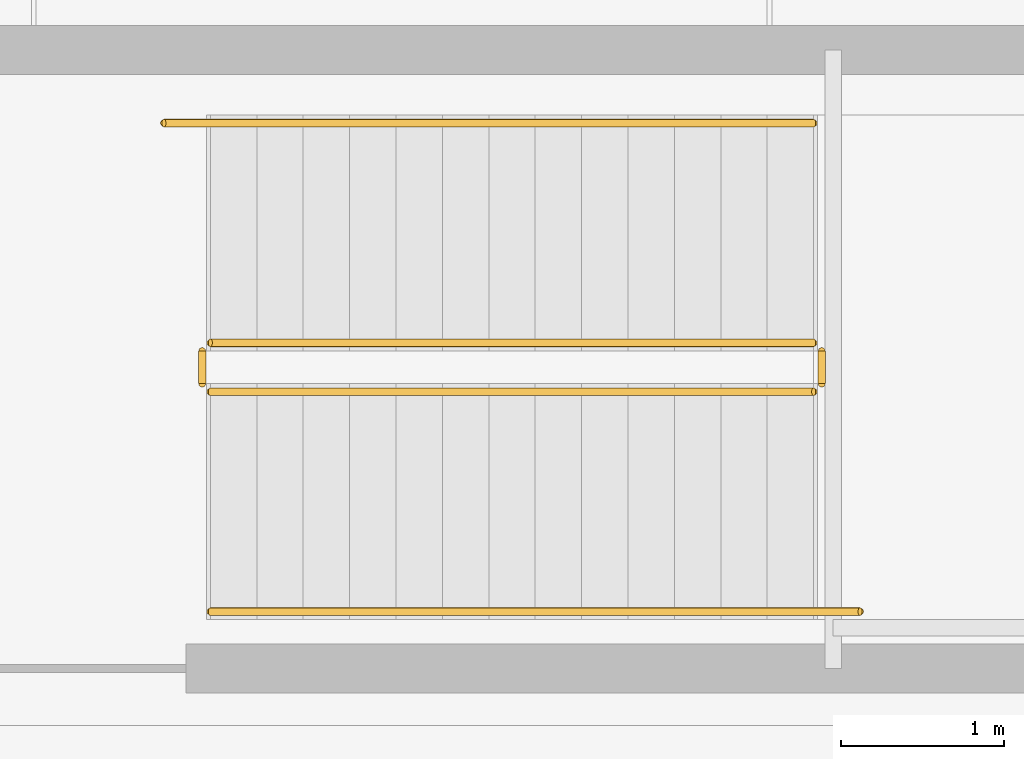
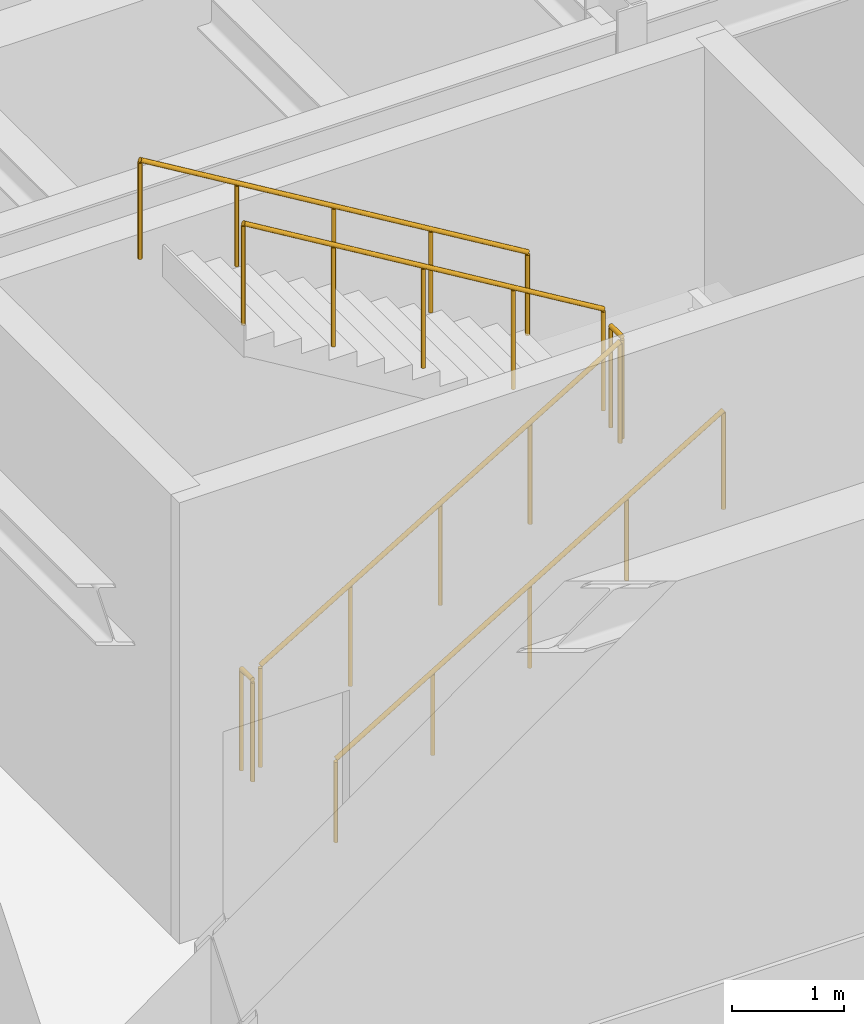
# One storey, part 58 of 59: 6 railings.
"""IFC4 building model written with IfcOpenShell, lengths in metres."""

from ifc_helpers import new_model, si_unit, direction, frame, origin, origin_2d, place, context, subcontext, project, spatial, circle, extrude, material, layer, layer_set, type_object, element, save


model = new_model("IFC4")

# Units and contexts
model_context = context("Model", 3, precision=1e-05, world=origin(), true_north=direction((0.0, 1.0)))
body_context = subcontext(model_context, "Body", "Model", "MODEL_VIEW")
ifc_project = project(units=[si_unit("LENGTHUNIT", "METRE"), si_unit("AREAUNIT", "SQUARE_METRE"), si_unit("VOLUMEUNIT", "CUBIC_METRE"), si_unit("PLANEANGLEUNIT", "RADIAN"), si_unit("MASSUNIT", "GRAM", prefix="KILO")], contexts=[model_context])

# Site, building, storey
site_placement = place(None, origin())
site = spatial("IfcSite", under=ifc_project, at=site_placement, CompositionType="ELEMENT")
building_placement = place(site_placement, origin())
building = spatial("IfcBuilding", under=site, at=building_placement, Name="Montealbar Specialist Clinic", CompositionType="ELEMENT")
storey_placement = place(building_placement, frame((0.0, 0.0, -4.800048828125)))
storey = spatial("IfcBuildingStorey", under=building, at=storey_placement, Name="B01", CompositionType="ELEMENT", Elevation=-4.800048828125)

# Railings
ifc_material = material(Name="Steel S355", Category="steel")
ifc_layer_1 = layer(ifc_material, 0.050048828125, Name="Steel S355", Category="steel")
ifc_layer_set_1 = layer_set([ifc_layer_1], Name="Steel S355")
railing_type_1 = type_object("IfcRailingType", Name="RAIL-STAIR-BAL-1100", PredefinedType="BALUSTRADE", material=ifc_layer_set_1)
railing_1_placement = place(storey_placement, frame((139.75, 100.300048828125, 0.17138671875)))
element("IfcRailing", 1, at=railing_1_placement, inside=storey, type_object=railing_type_1, Name="B01 ST-07 stair guard 1", PredefinedType="BALUSTRADE", context=body_context, shape_type="SweptSolid", body=[
    extrude(circle(Radius=0.02392578125, at=origin_2d()), frame((0.0, 0.0, 1.076171875), z_axis=(0.856909459561, 0.0, 0.515466951525), x_axis=(0.0, 1.0, 0.0)), (0.0, 0.0, 1.0), 4.32373046875),
    extrude(circle(Radius=0.02099609375, at=origin_2d()), frame((0.0, 0.0, -0.02490234375)), (0.0, 0.0, 1.0), 1.076904296875),
    extrude(circle(Radius=0.02099609375, at=origin_2d()), frame((0.92626953125, 0.0, 0.5322265625)), (0.0, 0.0, 1.0), 1.076904296875),
    extrude(circle(Radius=0.02099609375, at=origin_2d()), frame((1.8525390625, 0.0, 1.08935546875)), (0.0, 0.0, 1.0), 1.076904296875),
    extrude(circle(Radius=0.02099609375, at=origin_2d()), frame((2.77880859375, 0.0, 1.646484375)), (0.0, 0.0, 1.0), 1.076904296875),
    extrude(circle(Radius=0.02099609375, at=origin_2d()), frame((3.705078125, 0.0, 2.203857421875)), (0.0, 0.0, 1.0), 1.076904296875),
])
railing_2_placement = place(storey_placement, frame((143.5048828125, 100.35009765625, 2.400146484375)))
element("IfcRailing", 2, at=railing_2_placement, inside=storey, type_object=railing_type_1, Name="B01 ST-07 stair guard 2", PredefinedType="BALUSTRADE", context=body_context, shape_type="SweptSolid", body=[
    extrude(circle(Radius=0.02392578125, at=origin_2d()), frame((0.0, 0.0, 1.076171875), z_axis=(0.0, 1.0, 0.0), x_axis=(-1.0, 0.0, 0.0)), (0.0, 0.0, 1.0), 0.199951171875),
    extrude(circle(Radius=0.02099609375, at=origin_2d()), frame((0.0, 0.0, -0.02490234375)), (0.0, 0.0, 1.0), 1.076904296875),
    extrude(circle(Radius=0.02099609375, at=origin_2d()), frame((0.0, 0.199951171875, -0.02490234375)), (0.0, 0.0, 1.0), 1.076904296875),
])
railing_3_placement = place(storey_placement, frame((143.455078125, 100.60009765625, 2.571533203125)))
element("IfcRailing", 3, at=railing_3_placement, inside=storey, type_object=railing_type_1, Name="B01 ST-07 stair guard 3", PredefinedType="BALUSTRADE", context=body_context, shape_type="SweptSolid", body=[
    extrude(circle(Radius=0.02392578125, at=origin_2d()), frame((0.0, 0.0, 1.076171875), z_axis=(-0.856934400257, 0.0, 0.515425487977), x_axis=(0.0, -1.0, 0.0)), (0.0, 0.0, 1.0), 4.32373046875),
    extrude(circle(Radius=0.02099609375, at=origin_2d()), frame((0.0, 0.0, -0.02490234375)), (0.0, 0.0, 1.0), 1.076904296875),
    extrude(circle(Radius=0.02099609375, at=origin_2d()), frame((-0.92626953125, 0.0, 0.5322265625)), (0.0, 0.0, 1.0), 1.076904296875),
    extrude(circle(Radius=0.02099609375, at=origin_2d()), frame((-1.8525390625, 0.0, 1.08935546875)), (0.0, 0.0, 1.0), 1.076904296875),
    extrude(circle(Radius=0.02099609375, at=origin_2d()), frame((-2.77880859375, 0.0, 1.646484375)), (0.0, 0.0, 1.0), 1.076904296875),
    extrude(circle(Radius=0.02099609375, at=origin_2d()), frame((-3.705078125, 0.0, 2.20361328125)), (0.0, 0.0, 1.0), 1.076904296875),
])
railing_4_placement = place(storey_placement, frame((139.699951171875, 100.35009765625, 0.0)))
element("IfcRailing", 4, at=railing_4_placement, inside=storey, type_object=railing_type_1, Name="B01 ST-07 stair guard 4", PredefinedType="BALUSTRADE", context=body_context, shape_type="SweptSolid", body=[
    extrude(circle(Radius=0.02392578125, at=origin_2d()), frame((0.0, 0.0, 1.076171875), z_axis=(0.0, 1.0, 0.0), x_axis=(-1.0, 0.0, 0.0)), (0.0, 0.0, 1.0), 0.199951171875),
    extrude(circle(Radius=0.02099609375, at=origin_2d()), frame((0.0, 0.0, -0.02490234375)), (0.0, 0.0, 1.0), 1.076904296875),
    extrude(circle(Radius=0.02099609375, at=origin_2d()), frame((0.0, 0.199951171875, -0.02490234375)), (0.0, 0.0, 1.0), 1.076904296875),
])
ifc_layer_2 = layer(ifc_material, 0.044921875, Name="Steel S355", Category="steel")
ifc_layer_set_2 = layer_set([ifc_layer_2], Name="Steel S355")
railing_type_2 = type_object("IfcRailingType", Name="RAIL-STAIR-HR-900", PredefinedType="HANDRAIL", material=ifc_layer_set_2)
railing_5_placement = place(storey_placement, frame((139.75, 98.949951171875, 0.17138671875)))
element("IfcRailing", 5, at=railing_5_placement, inside=storey, type_object=railing_type_2, Name="B01 ST-07 stair handrail 1", PredefinedType="HANDRAIL", context=body_context, shape_type="SweptSolid", body=[
    extrude(circle(Radius=0.02392578125, at=origin_2d()), frame((0.0, 0.0, 0.8759765625), z_axis=(0.856909445827, 0.0, 0.515466974357), x_axis=(0.0, 1.0, 0.0)), (0.0, 0.0, 1.0), 4.65625),
    extrude(circle(Radius=0.02099609375, at=origin_2d()), frame((0.0, 0.0, -0.02490234375)), (0.0, 0.0, 1.0), 0.876708984375),
    extrude(circle(Radius=0.02099609375, at=origin_2d()), frame((0.99755859375, 0.0, 0.574951171875)), (0.0, 0.0, 1.0), 0.876708984375),
    extrude(circle(Radius=0.02099609375, at=origin_2d()), frame((1.9951171875, 0.0, 1.175048828125)), (0.0, 0.0, 1.0), 0.876708984375),
    extrude(circle(Radius=0.02099609375, at=origin_2d()), frame((2.992431640625, 0.0, 1.775146484375)), (0.0, 0.0, 1.0), 0.876708984375),
    extrude(circle(Radius=0.02099609375, at=origin_2d()), frame((3.989990234375, 0.0, 2.203857421875)), (0.0, 0.0, 1.0), 1.048095703125),
])
railing_6_placement = place(storey_placement, frame((143.455078125, 101.949951171875, 2.571533203125)))
element("IfcRailing", 6, at=railing_6_placement, inside=storey, type_object=railing_type_2, Name="B01 ST-07 stair handrail 2", PredefinedType="HANDRAIL", context=body_context, shape_type="SweptSolid", body=[
    extrude(circle(Radius=0.02392578125, at=origin_2d()), frame((0.0, 0.0, 0.8759765625), z_axis=(-0.856932605607, 0.0, 0.515428471708), x_axis=(0.0, -1.0, 0.0)), (0.0, 0.0, 1.0), 4.65625),
    extrude(circle(Radius=0.02099609375, at=origin_2d()), frame((0.0, 0.0, -0.02490234375)), (0.0, 0.0, 1.0), 0.876708984375),
    extrude(circle(Radius=0.02099609375, at=origin_2d()), frame((-0.99755859375, 0.0, 0.574951171875)), (0.0, 0.0, 1.0), 0.876708984375),
    extrude(circle(Radius=0.02099609375, at=origin_2d()), frame((-1.9951171875, 0.0, 1.175048828125)), (0.0, 0.0, 1.0), 0.876708984375),
    extrude(circle(Radius=0.02099609375, at=origin_2d()), frame((-2.992431640625, 0.0, 1.77490234375)), (0.0, 0.0, 1.0), 0.876708984375),
    extrude(circle(Radius=0.02099609375, at=origin_2d()), frame((-3.989990234375, 0.0, 2.20361328125)), (0.0, 0.0, 1.0), 1.048095703125),
])

save(model, "model.ifc")
